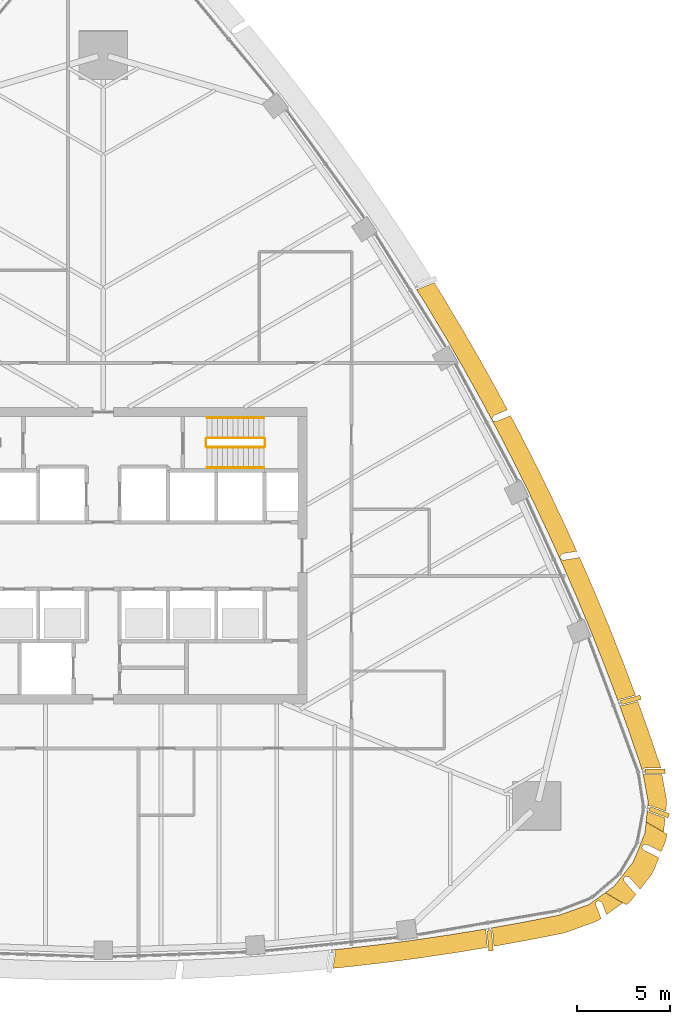
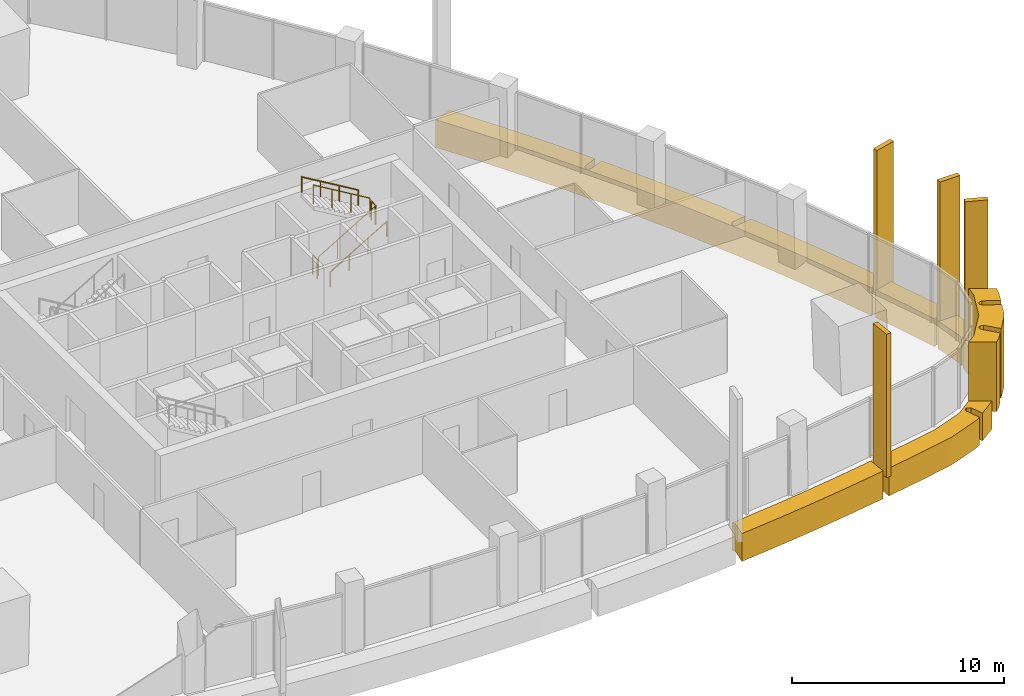
# One storey, part 17 of 19: 11 coverings, 6 railings.
"""IFC4 building model written with IfcOpenShell, lengths in metres."""

from ifc_helpers import new_model, si_unit, direction, frame, origin, origin_2d, place, context, subcontext, project, spatial, polyline, rectangle, circle, outline, extrude, material, layer, layer_set, material_profile, profile_set, type_object, element, save


model = new_model("IFC4")

# Units and contexts
model_context = context("Model", 3, precision=1e-05, world=origin(), true_north=direction((0.0, 1.0)))
body_context = subcontext(model_context, "Body", "Model", "MODEL_VIEW")
ifc_project = project(units=[si_unit("LENGTHUNIT", "METRE"), si_unit("AREAUNIT", "SQUARE_METRE"), si_unit("VOLUMEUNIT", "CUBIC_METRE"), si_unit("PLANEANGLEUNIT", "RADIAN"), si_unit("MASSUNIT", "GRAM", prefix="KILO")], contexts=[model_context])

# Site, building, storey
site_placement = place(None, origin())
site = spatial("IfcSite", under=ifc_project, at=site_placement, CompositionType="ELEMENT")
building_placement = place(site_placement, origin())
building = spatial("IfcBuilding", under=site, at=building_placement, Name="Sierra Prisma Convention Tower", CompositionType="ELEMENT")
storey_placement = place(building_placement, frame((0.0, 0.0, 185.800048828125)))
storey = spatial("IfcBuildingStorey", under=building, at=storey_placement, Name="L41", CompositionType="ELEMENT", Elevation=185.800048828125)

# Coverings
ifc_material_1 = material(Name="Aluminium composite bronze anodised", Category="aluminium")
ifc_layer_1 = layer(ifc_material_1, 1.199951171875)
ifc_layer_set_1 = layer_set([ifc_layer_1], Name="Bronze corner pier")
covering_type_1 = type_object("IfcCoveringType", Name="Bronze corner pier", PredefinedType="CLADDING", material=ifc_layer_set_1)
covering_1_placement = place(storey_placement, frame((0.0, 0.0, -0.60009765625)))
element("IfcCovering", 1, at=covering_1_placement, inside=storey, type_object=covering_type_1, Name="Corner pier SE L41.1", PredefinedType="CLADDING", context=body_context, shape_type="SweptSolid", body=[
    extrude(outline(polyline([(29.142822265625, -15.60791015625), (29.13916015625, -15.61083984375), (29.1357421875, -15.614013671875), (29.132568359375, -15.61767578125), (29.1298828125, -15.62158203125), (29.127197265625, -15.625732421875), (29.125244140625, -15.6298828125), (29.087890625, -15.722900390625), (29.08642578125, -15.727294921875), (29.085205078125, -15.732177734375), (29.084716796875, -15.73681640625), (29.08447265625, -15.74169921875), (29.084716796875, -15.74658203125), (29.08544921875, -15.75146484375), (29.086669921875, -15.756103515625), (29.088134765625, -15.7607421875), (29.09033203125, -15.76513671875), (29.0927734375, -15.769287109375), (29.166259765625, -15.879150390625), (29.169189453125, -15.88330078125), (29.172607421875, -15.886962890625), (29.176513671875, -15.890380859375), (29.1806640625, -15.893310546875), (29.18505859375, -15.89599609375), (29.986572265625, -16.30322265625), (29.72021484375, -16.964599609375), (29.552001953125, -17.256103515625), (28.97021484375, -17.998779296875), (28.3935546875, -17.356689453125), (28.390380859375, -17.353515625), (28.38671875, -17.3505859375), (28.3828125, -17.347900390625), (28.37890625, -17.345458984375), (28.37451171875, -17.343505859375), (28.3701171875, -17.342041015625), (28.36572265625, -17.341064453125), (28.208984375, -17.311279296875), (28.2041015625, -17.310546875), (28.19921875, -17.310302734375), (28.194091796875, -17.310791015625), (28.189208984375, -17.3115234375), (28.1845703125, -17.312744140625), (28.1796875, -17.314453125), (28.17529296875, -17.316650390625), (28.171142578125, -17.3193359375), (28.167236328125, -17.322509765625), (28.16357421875, -17.32568359375), (28.160400390625, -17.32958984375), (28.0986328125, -17.408203125), (28.095703125, -17.41259765625), (28.09326171875, -17.4169921875), (28.091064453125, -17.421875), (28.089599609375, -17.4267578125), (28.088623046875, -17.431884765625), (28.088134765625, -17.43701171875), (28.088134765625, -17.442138671875), (28.088623046875, -17.447265625), (28.08984375, -17.452392578125), (28.1220703125, -17.5703125), (28.12353515625, -17.574951171875), (28.12548828125, -17.5791015625), (28.127685546875, -17.583251953125), (28.130126953125, -17.587158203125), (28.13330078125, -17.5908203125), (28.751220703125, -18.278564453125), (28.514404296875, -18.581298828125), (28.271728515625, -18.814453125), (28.234375, -18.84130859375), (27.09521484375, -18.18359375), (27.569580078125, -17.84130859375), (28.607177734375, -16.516357421875), (29.23583984375, -14.955078125), (29.295166015625, -14.373291015625), (30.434326171875, -15.031005859375), (30.4296875, -15.076904296875), (30.348876953125, -15.403564453125), (30.117919921875, -15.977294921875), (29.343505859375, -15.583984375), (29.339111328125, -15.581787109375), (29.334228515625, -15.580322265625), (29.329345703125, -15.5791015625), (29.32421875, -15.57861328125), (29.3193359375, -15.57861328125), (29.314208984375, -15.578857421875), (29.1650390625, -15.59912109375), (29.160400390625, -15.60009765625), (29.15576171875, -15.601318359375), (29.151123046875, -15.60302734375), (29.14697265625, -15.605224609375), (29.142822265625, -15.60791015625)])), origin(), (0.0, 0.0, 1.0), 4.0),
])
ifc_material_2 = material(Name="Aluminium 6063-T6 bronze anodised", Category="aluminium")
ifc_material_profile = material_profile(ifc_material_2, rectangle(XDim=1.10009765625, YDim=0.25, at=origin_2d()), Name="ALU FIN 1100x250")
ifc_profile_set = profile_set([ifc_material_profile], Name="Aluminium 6063-T6 bronze anodised")
covering_type_2 = type_object("IfcCoveringType", Name="Bronze facade fin", PredefinedType="CLADDING", material=ifc_profile_set)
for number, where, z_axis, x_axis, name in (
    (2, (20.880859375, -20.779541015625, -0.300048828125), (0.0, 0.0, 1.0), (0.091194910809, -0.995833062437, 0.0), "Fin L41.17"),
    (3, (30.003662109375, -13.84326171875, -0.300048828125), (0.0, 0.0, 1.0), (0.934739890258, -0.355332713891, 0.0), "Fin L41.22"),
    (4, (29.779296875, -11.63525390625, -0.300048828125), (0.0, 0.0, 1.0), (0.999985337507, 0.005415235139, 0.0), "Fin L41.23"),
    (5, (28.468505859375, -7.78369140625, -0.300048828125), (0.0, 0.0, 1.0), (0.966967476772, 0.254899782002, 0.0), "Fin L41.24"),
):
    element("IfcCovering", number, at=place(storey_placement, frame(where, z_axis=z_axis, x_axis=x_axis)), inside=storey, type_object=covering_type_2, Name=name, ObjectType="FIN", PredefinedType="CLADDING", context=body_context, shape_type="SweptSolid", body=[
        extrude(rectangle(XDim=1.10009765625, YDim=0.25, at=origin_2d()), origin(), (0.0, 0.0, 1.0), 8.25),
    ])
ifc_material_3 = material(Name="Aluminium composite bronze anodised", Category="aluminium")
ifc_layer_2 = layer(ifc_material_3, 1.0)
ifc_layer_set_2 = layer_set([ifc_layer_2], Name="Bronze spandrel band")
covering_type_3 = type_object("IfcCoveringType", Name="Bronze spandrel band", PredefinedType="CLADDING", material=ifc_layer_set_2)
covering_2_placement = place(storey_placement, frame((0.0, 0.0, -1.60009765625)))
element("IfcCovering", 6, at=covering_2_placement, inside=storey, type_object=covering_type_3, Name="Spandrel band L41.5", PredefinedType="CLADDING", context=body_context, shape_type="SweptSolid", body=[
    extrude(outline(polyline([(21.3037109375, 8.827392578125), (21.814697265625, 7.8720703125), (21.101806640625, 7.57275390625), (21.097412109375, 7.570556640625), (21.093017578125, 7.568115234375), (21.0888671875, 7.56494140625), (21.085205078125, 7.5615234375), (21.081787109375, 7.5576171875), (21.0791015625, 7.5537109375), (20.997802734375, 7.4267578125), (20.99560546875, 7.422607421875), (20.99365234375, 7.418212890625), (20.991943359375, 7.413818359375), (20.990966796875, 7.408935546875), (20.990234375, 7.404296875), (20.989990234375, 7.3994140625), (20.990234375, 7.394775390625), (20.990966796875, 7.389892578125), (20.9921875, 7.38525390625), (20.993896484375, 7.380859375), (20.995849609375, 7.37646484375), (21.04248046875, 7.2880859375), (21.044921875, 7.28369140625), (21.047607421875, 7.27978515625), (21.051025390625, 7.2763671875), (21.054443359375, 7.27294921875), (21.058349609375, 7.27001953125), (21.0625, 7.267578125), (21.06689453125, 7.265380859375), (21.0712890625, 7.263671875), (21.076171875, 7.262451171875), (21.080810546875, 7.26171875), (21.212158203125, 7.24658203125), (21.21728515625, 7.24609375), (21.222412109375, 7.246337890625), (21.2275390625, 7.2470703125), (21.232421875, 7.248291015625), (21.2373046875, 7.25), (21.98046875, 7.56201171875), (22.239013671875, 7.07861328125), (22.24658203125, 7.064453125), (23.1533203125, 5.300537109375), (23.16064453125, 5.2861328125), (24.03857421875, 3.5078125), (24.045654296875, 3.493408203125), (24.894775390625, 1.701171875), (24.901611328125, 1.686279296875), (25.560791015625, 0.234619140625), (24.805908203125, 0.1123046875), (24.801025390625, 0.111328125), (24.79638671875, 0.10986328125), (24.791748046875, 0.10791015625), (24.787353515625, 0.10546875), (24.783203125, 0.1025390625), (24.779541015625, 0.099365234375), (24.776123046875, 0.095703125), (24.666015625, -0.03125), (24.6630859375, -0.034912109375), (24.66064453125, -0.038818359375), (24.658447265625, -0.043212890625), (24.65673828125, -0.047607421875), (24.655517578125, -0.052001953125), (24.654541015625, -0.056640625), (24.654052734375, -0.061279296875), (24.654052734375, -0.066162109375), (24.654296875, -0.07080078125), (24.6552734375, -0.075439453125), (24.656494140625, -0.080078125), (24.658203125, -0.08447265625), (24.69921875, -0.17578125), (24.70166015625, -0.18017578125), (24.7041015625, -0.18408203125), (24.707275390625, -0.18798828125), (24.710693359375, -0.191650390625), (24.714599609375, -0.19482421875), (24.718505859375, -0.19775390625), (24.722900390625, -0.2001953125), (24.7275390625, -0.201904296875), (24.732177734375, -0.20361328125), (24.84130859375, -0.232177734375), (24.84619140625, -0.233154296875), (24.8515625, -0.233642578125), (24.856689453125, -0.233642578125), (24.86181640625, -0.233154296875), (25.710693359375, -0.095703125), (25.721435546875, -0.119384765625), (25.72802734375, -0.13427734375), (26.5185546875, -1.953125), (26.52490234375, -1.968017578125), (27.28564453125, -3.799560546875), (27.291748046875, -3.814697265625), (28.022705078125, -5.658203125), (28.028564453125, -5.67333984375), (28.7294921875, -7.5283203125), (28.731201171875, -7.533447265625), (27.89208984375, -7.754638671875), (27.88720703125, -7.756103515625), (27.882568359375, -7.75830078125), (27.878173828125, -7.760498046875), (27.8740234375, -7.763427734375), (27.870361328125, -7.766845703125), (27.86669921875, -7.7705078125), (27.787109375, -7.863525390625), (27.093017578125, -6.026611328125), (26.362060546875, -4.18310546875), (25.601318359375, -2.351806640625), (24.810791015625, -0.53271484375), (23.990966796875, 1.27294921875), (23.14208984375, 3.065185546875), (22.263916015625, 4.843505859375), (21.357177734375, 6.607177734375), (20.421875, 8.35595703125), (19.458251953125, 10.089111328125), (18.466796875, 11.806640625), (17.447265625, 13.5078125), (16.8994140625, 14.389404296875), (16.984375, 14.38232421875), (16.989013671875, 14.382080078125), (16.99365234375, 14.382568359375), (16.998291015625, 14.38330078125), (17.002685546875, 14.38427734375), (17.007080078125, 14.3857421875), (17.865234375, 14.72998046875), (18.296630859375, 14.03564453125), (18.30517578125, 14.02197265625), (19.324462890625, 12.32080078125), (19.332763671875, 12.306640625), (20.32421875, 10.589111328125), (20.332275390625, 10.5751953125), (21.2958984375, 8.841796875), (21.3037109375, 8.827392578125)])), origin(), (0.0, 0.0, 1.0), 1.60009765625),
])
covering_3_placement = place(storey_placement, frame((0.0, 0.0, -1.60009765625)))
element("IfcCovering", 7, at=covering_3_placement, inside=storey, type_object=covering_type_3, Name="Spandrel band L41.6", PredefinedType="CLADDING", context=body_context, shape_type="SweptSolid", body=[
    extrude(outline(polyline([(29.214599609375, -11.465087890625), (29.210205078125, -11.466796875), (29.2060546875, -11.468505859375), (29.201904296875, -11.470947265625), (29.1982421875, -11.4736328125), (29.08349609375, -11.56201171875), (28.464599609375, -9.748291015625), (27.861083984375, -8.068603515625), (27.955810546875, -8.093017578125), (27.9609375, -8.09423828125), (27.966064453125, -8.0947265625), (27.97119140625, -8.0947265625), (27.976318359375, -8.093994140625), (27.981201171875, -8.093017578125), (28.85009765625, -7.864013671875), (29.40576171875, -9.409912109375), (29.4111328125, -9.42529296875), (30.051513671875, -11.30224609375), (30.0888671875, -11.4462890625), (30.09130859375, -11.45849609375), (29.228515625, -11.463134765625), (29.223876953125, -11.46337890625), (29.21923828125, -11.464111328125), (29.214599609375, -11.465087890625)])), origin(), (0.0, 0.0, 1.0), 1.60009765625),
])
covering_4_placement = place(storey_placement, frame((0.0, 0.0, -1.60009765625)))
element("IfcCovering", 8, at=covering_4_placement, inside=storey, type_object=covering_type_3, Name="Spandrel band L41.7", PredefinedType="CLADDING", context=body_context, shape_type="SweptSolid", body=[
    extrude(outline(polyline([(29.5224609375, -13.482421875), (29.517578125, -13.48388671875), (29.380859375, -13.531005859375), (29.40625, -13.281005859375), (29.131591796875, -11.77001953125), (29.2080078125, -11.80810546875), (29.212158203125, -11.809814453125), (29.216552734375, -11.811279296875), (29.22119140625, -11.8125), (29.2255859375, -11.81298828125), (29.23046875, -11.813232421875), (30.15478515625, -11.80810546875), (30.39013671875, -13.101806640625), (30.401123046875, -13.382080078125), (30.359619140625, -13.791259765625), (29.5517578125, -13.484375), (29.547119140625, -13.482666015625), (29.5419921875, -13.481689453125), (29.537109375, -13.481201171875), (29.5322265625, -13.48095703125), (29.52734375, -13.4814453125), (29.5224609375, -13.482421875)])), origin(), (0.0, 0.0, 1.0), 1.60009765625),
])
covering_5_placement = place(storey_placement, frame((0.0, 0.0, -1.60009765625)))
element("IfcCovering", 9, at=covering_5_placement, inside=storey, type_object=covering_type_3, Name="Spandrel band L41.8", PredefinedType="CLADDING", context=body_context, shape_type="SweptSolid", body=[
    extrude(outline(polyline([(26.917236328125, -18.72509765625), (26.91455078125, -18.720947265625), (26.9111328125, -18.71728515625), (26.90771484375, -18.713623046875), (26.90380859375, -18.710693359375), (26.8994140625, -18.7080078125), (26.7529296875, -18.6259765625), (26.748779296875, -18.623779296875), (26.744384765625, -18.6220703125), (26.73974609375, -18.620849609375), (26.735107421875, -18.619873046875), (26.73046875, -18.619384765625), (26.7255859375, -18.61962890625), (26.720947265625, -18.6201171875), (26.71630859375, -18.62109375), (26.7119140625, -18.622314453125), (26.70751953125, -18.6240234375), (26.703125, -18.626220703125), (26.69921875, -18.62890625), (26.6181640625, -18.6875), (26.6142578125, -18.6904296875), (26.610595703125, -18.694091796875), (26.607666015625, -18.69775390625), (26.604736328125, -18.701904296875), (26.602294921875, -18.706298828125), (26.6005859375, -18.710693359375), (26.59912109375, -18.715576171875), (26.597900390625, -18.72021484375), (26.597412109375, -18.725341796875), (26.59130859375, -18.837646484375), (26.59130859375, -18.843017578125), (26.591796875, -18.84814453125), (26.593017578125, -18.853271484375), (26.594482421875, -18.858154296875), (26.868896484375, -19.580078125), (26.789794921875, -19.63720703125), (26.541748046875, -19.767578125), (24.95703125, -20.334716796875), (24.813720703125, -20.374267578125), (22.8681640625, -20.75830078125), (22.852294921875, -20.76123046875), (21.083984375, -21.080322265625), (21.0048828125, -20.2158203125), (21.004150390625, -20.2109375), (21.0029296875, -20.2060546875), (21.001220703125, -20.201416015625), (20.9990234375, -20.19677734375), (20.99658203125, -20.1923828125), (20.993408203125, -20.1884765625), (20.9150390625, -20.0947265625), (22.674560546875, -19.777099609375), (24.6201171875, -19.393310546875), (26.204833984375, -18.826171875), (27.086181640625, -18.190185546875), (28.035400390625, -18.73828125), (27.16259765625, -19.3681640625), (26.921630859375, -18.73388671875), (26.919921875, -18.729248046875), (26.917236328125, -18.72509765625)])), origin(), (0.0, 0.0, 1.0), 1.60009765625),
])
covering_6_placement = place(storey_placement, frame((0.0, 0.0, -1.60009765625)))
element("IfcCovering", 10, at=covering_6_placement, inside=storey, type_object=covering_type_3, Name="Spandrel band L41.9", PredefinedType="CLADDING", context=body_context, shape_type="SweptSolid", body=[
    extrude(outline(polyline([(29.418212890625, -13.806640625), (29.422607421875, -13.809326171875), (29.427490234375, -13.811279296875), (30.32275390625, -14.15185546875), (30.24560546875, -14.910400390625), (29.296142578125, -14.3623046875), (29.358642578125, -13.74951171875), (29.409912109375, -13.80029296875), (29.413818359375, -13.8037109375), (29.418212890625, -13.806640625)])), origin(), (0.0, 0.0, 1.0), 1.60009765625),
])
covering_7_placement = place(storey_placement, frame((0.0, 0.0, -1.60009765625)))
element("IfcCovering", 11, at=covering_7_placement, inside=storey, type_object=covering_type_3, Name="Spandrel band L41.10", PredefinedType="CLADDING", context=body_context, shape_type="SweptSolid", body=[
    extrude(outline(polyline([(12.534912109375, -21.4091796875), (12.53466796875, -21.404296875), (12.53369140625, -21.3994140625), (12.5322265625, -21.39453125), (12.530517578125, -21.389892578125), (12.528076171875, -21.385498046875), (12.45458984375, -21.2607421875), (12.866943359375, -21.220458984375), (14.83740234375, -20.99560546875), (16.8037109375, -20.73876953125), (18.765869140625, -20.449951171875), (20.70068359375, -20.133056640625), (20.660400390625, -20.222900390625), (20.65869140625, -20.2275390625), (20.6572265625, -20.232666015625), (20.656494140625, -20.237548828125), (20.656005859375, -20.24267578125), (20.65625, -20.247802734375), (20.738037109375, -21.14013671875), (18.927490234375, -21.436767578125), (18.911376953125, -21.439208984375), (16.949462890625, -21.72802734375), (16.933349609375, -21.730224609375), (14.966796875, -21.987060546875), (14.95068359375, -21.989013671875), (12.980224609375, -22.214111328125), (12.964111328125, -22.2158203125), (12.392822265625, -22.271484375), (12.5341796875, -21.4189453125), (12.534912109375, -21.4140625), (12.534912109375, -21.4091796875)])), origin(), (0.0, 0.0, 1.0), 1.60009765625),
])

# Railings
ifc_material_4 = material(Name="Stainless steel", Category="steel")
railing_type_1 = type_object("IfcRailingType", Name="Exit stair handrail", PredefinedType="HANDRAIL", material=ifc_material_4)
railing_1_placement = place(storey_placement, frame((5.60009765625, 4.75, 0.16650390625)))
element("IfcRailing", 12, at=railing_1_placement, inside=storey, type_object=railing_type_1, Name="L41 S4 stair handrail 1", PredefinedType="HANDRAIL", context=body_context, shape_type="SweptSolid", body=[
    extrude(circle(Radius=0.02392578125, at=origin_2d()), frame((0.0, 0.0, 0.8759765625), z_axis=(0.859260807169, 0.0, 0.511537745687), x_axis=(0.0, 1.0, 0.0)), (0.0, 0.0, 1.0), 3.584228515625),
    extrude(circle(Radius=0.02099609375, at=origin_2d()), origin(), (0.0, 0.0, 1.0), 0.851806640625),
    extrude(circle(Radius=0.02099609375, at=origin_2d()), frame((1.026611328125, 0.0, 0.611083984375)), (0.0, 0.0, 1.0), 0.851806640625),
    extrude(circle(Radius=0.02099609375, at=origin_2d()), frame((2.05322265625, 0.0, 1.222412109375)), (0.0, 0.0, 1.0), 0.851806640625),
    extrude(circle(Radius=0.02099609375, at=origin_2d()), frame((3.079833984375, 0.0, 1.83349609375)), (0.0, 0.0, 1.0), 0.851806640625),
])
railing_2_placement = place(storey_placement, frame((8.679931640625, 7.449951171875, 2.16650390625)))
element("IfcRailing", 13, at=railing_2_placement, inside=storey, type_object=railing_type_1, Name="L41 S4 stair handrail 2", PredefinedType="HANDRAIL", context=body_context, shape_type="SweptSolid", body=[
    extrude(circle(Radius=0.02392578125, at=origin_2d()), frame((0.0, 0.0, 0.8759765625), z_axis=(-0.859260807169, 0.0, 0.511537745687), x_axis=(0.0, -1.0, 0.0)), (0.0, 0.0, 1.0), 3.584228515625),
    extrude(circle(Radius=0.02099609375, at=origin_2d()), origin(), (0.0, 0.0, 1.0), 0.851806640625),
    extrude(circle(Radius=0.02099609375, at=origin_2d()), frame((-1.026611328125, 0.0, 0.611083984375)), (0.0, 0.0, 1.0), 0.851806640625),
    extrude(circle(Radius=0.02099609375, at=origin_2d()), frame((-2.05322265625, 0.0, 1.222412109375)), (0.0, 0.0, 1.0), 0.851806640625),
    extrude(circle(Radius=0.02099609375, at=origin_2d()), frame((-3.079833984375, 0.0, 1.83349609375)), (0.0, 0.0, 1.0), 0.851806640625),
])
ifc_material_5 = material(Name="Stainless steel", Category="steel")
railing_type_2 = type_object("IfcRailingType", Name="Stair guard 1100", PredefinedType="GUARDRAIL", material=ifc_material_5)
railing_3_placement = place(storey_placement, frame((5.60009765625, 5.85009765625, 0.16650390625)))
element("IfcRailing", 14, at=railing_3_placement, inside=storey, type_object=railing_type_2, Name="L41 S4 stair guard 1", PredefinedType="GUARDRAIL", context=body_context, shape_type="SweptSolid", body=[
    extrude(circle(Radius=0.02392578125, at=origin_2d()), frame((0.0, 0.0, 1.076171875), z_axis=(0.859260807169, 0.0, 0.511537745687), x_axis=(0.0, 1.0, 0.0)), (0.0, 0.0, 1.0), 3.584228515625),
    extrude(circle(Radius=0.02099609375, at=origin_2d()), origin(), (0.0, 0.0, 1.0), 1.052001953125),
    extrude(circle(Radius=0.02099609375, at=origin_2d()), frame((1.026611328125, 0.0, 0.611083984375)), (0.0, 0.0, 1.0), 1.052001953125),
    extrude(circle(Radius=0.02099609375, at=origin_2d()), frame((2.05322265625, 0.0, 1.222412109375)), (0.0, 0.0, 1.0), 1.052001953125),
    extrude(circle(Radius=0.02099609375, at=origin_2d()), frame((3.079833984375, 0.0, 1.83349609375)), (0.0, 0.0, 1.0), 1.052001953125),
])
railing_4_placement = place(storey_placement, frame((8.72998046875, 5.89990234375, 2.0)))
element("IfcRailing", 15, at=railing_4_placement, inside=storey, type_object=railing_type_2, Name="L41 S4 stair guard 2", PredefinedType="GUARDRAIL", context=body_context, shape_type="SweptSolid", body=[
    extrude(circle(Radius=0.02392578125, at=origin_2d()), frame((0.0, 0.0, 1.076171875), z_axis=(0.0, 1.0, 0.0), x_axis=(-1.0, 0.0, 0.0)), (0.0, 0.0, 1.0), 0.400146484375),
    extrude(circle(Radius=0.02099609375, at=origin_2d()), origin(), (0.0, 0.0, 1.0), 1.052001953125),
    extrude(circle(Radius=0.02099609375, at=origin_2d()), frame((0.0, 0.400146484375, 0.0)), (0.0, 0.0, 1.0), 1.052001953125),
])
railing_5_placement = place(storey_placement, frame((8.679931640625, 6.35009765625, 2.16650390625)))
element("IfcRailing", 16, at=railing_5_placement, inside=storey, type_object=railing_type_2, Name="L41 S4 stair guard 3", PredefinedType="GUARDRAIL", context=body_context, shape_type="SweptSolid", body=[
    extrude(circle(Radius=0.02392578125, at=origin_2d()), frame((0.0, 0.0, 1.076171875), z_axis=(-0.859260807169, 0.0, 0.511537745687), x_axis=(0.0, -1.0, 0.0)), (0.0, 0.0, 1.0), 3.584228515625),
    extrude(circle(Radius=0.02099609375, at=origin_2d()), origin(), (0.0, 0.0, 1.0), 1.052001953125),
    extrude(circle(Radius=0.02099609375, at=origin_2d()), frame((-1.026611328125, 0.0, 0.611083984375)), (0.0, 0.0, 1.0), 1.052001953125),
    extrude(circle(Radius=0.02099609375, at=origin_2d()), frame((-2.05322265625, 0.0, 1.222412109375)), (0.0, 0.0, 1.0), 1.052001953125),
    extrude(circle(Radius=0.02099609375, at=origin_2d()), frame((-3.079833984375, 0.0, 1.83349609375)), (0.0, 0.0, 1.0), 1.052001953125),
])
railing_6_placement = place(storey_placement, frame((5.550048828125, 5.89990234375, 0.0)))
element("IfcRailing", 17, at=railing_6_placement, inside=storey, type_object=railing_type_2, Name="L41 S4 stair guard 4", PredefinedType="GUARDRAIL", context=body_context, shape_type="SweptSolid", body=[
    extrude(circle(Radius=0.02392578125, at=origin_2d()), frame((0.0, 0.0, 1.076171875), z_axis=(0.0, 1.0, 0.0), x_axis=(-1.0, 0.0, 0.0)), (0.0, 0.0, 1.0), 0.400146484375),
    extrude(circle(Radius=0.02099609375, at=origin_2d()), origin(), (0.0, 0.0, 1.0), 1.052001953125),
    extrude(circle(Radius=0.02099609375, at=origin_2d()), frame((0.0, 0.400146484375, 0.0)), (0.0, 0.0, 1.0), 1.052001953125),
])

save(model, "model.ifc")
